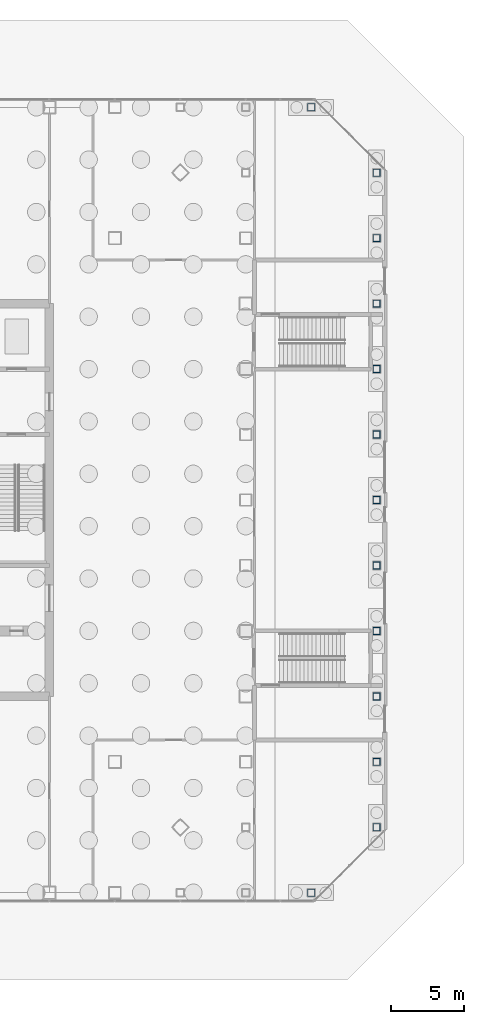
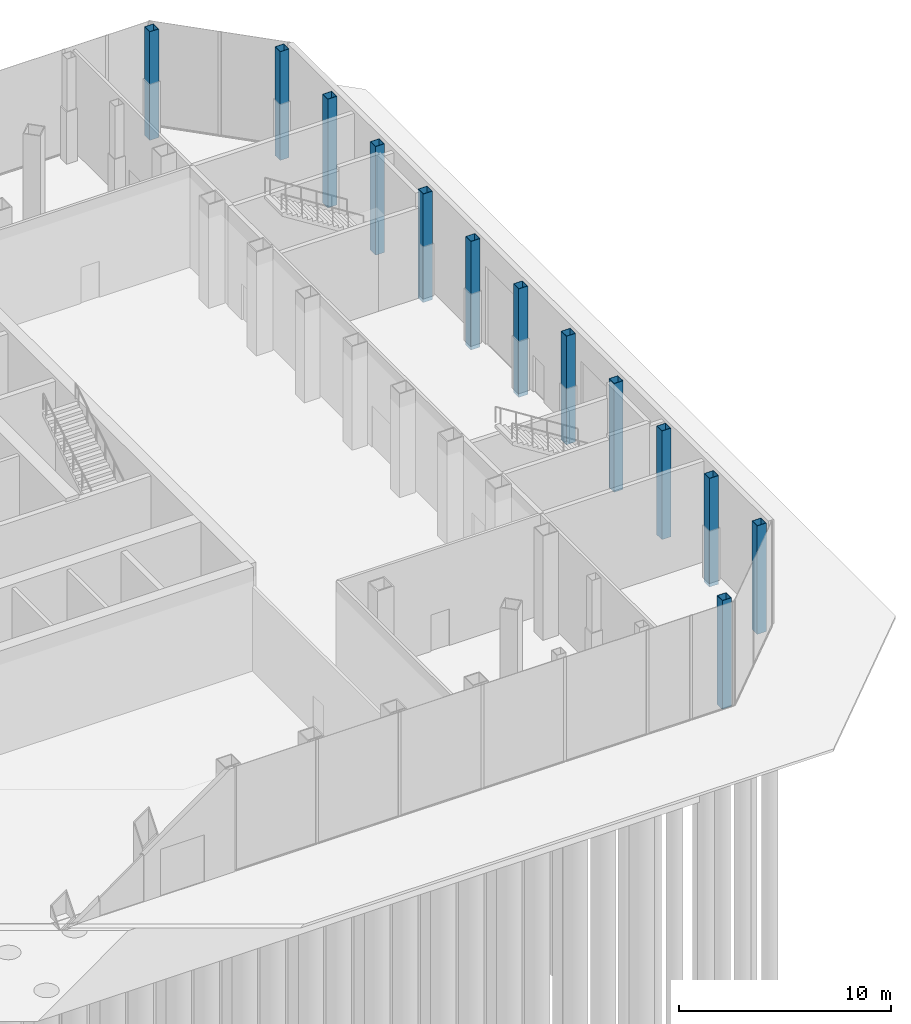
# One storey, part 5 of 24: 13 columns.
"""IFC4 building model written with IfcOpenShell, lengths in metres."""

from ifc_helpers import new_model, si_unit, direction, frame, origin, origin_2d, place, context, subcontext, project, spatial, hollow_rectangle, extrude, material, material_profile, profile_set, type_object, element, save


model = new_model("IFC4")

# Units and contexts
model_context = context("Model", 3, precision=1e-05, world=origin(), true_north=direction((0.0, 1.0)))
body_context = subcontext(model_context, "Body", "Model", "MODEL_VIEW")
ifc_project = project(units=[si_unit("LENGTHUNIT", "METRE"), si_unit("AREAUNIT", "SQUARE_METRE"), si_unit("VOLUMEUNIT", "CUBIC_METRE"), si_unit("PLANEANGLEUNIT", "RADIAN"), si_unit("MASSUNIT", "GRAM", prefix="KILO")], contexts=[model_context])

# Site, building, storey
site_placement = place(None, origin())
site = spatial("IfcSite", under=ifc_project, at=site_placement, CompositionType="ELEMENT")
building_placement = place(site_placement, origin())
building = spatial("IfcBuilding", under=site, at=building_placement, Name="Corais Broadcast Tower", CompositionType="ELEMENT")
storey_placement = place(building_placement, origin())
storey = spatial("IfcBuildingStorey", under=building, at=storey_placement, Name="L00", CompositionType="ELEMENT", Elevation=0.0)

# Columns
ifc_material = material(Name="Steel ASTM A572 Grade 50", Category="steel")
ifc_material_profile = material_profile(ifc_material, hollow_rectangle(XDim=0.5, YDim=0.5, WallThickness=0.02197265625, at=origin_2d()), Name="BOX 500x500x22")
ifc_profile_set = profile_set([ifc_material_profile], Name="Steel ASTM A572 Grade 50")
column_type = type_object("IfcColumnType", Name="Column BOX 500x500x22", PredefinedType="COLUMN", material=ifc_profile_set)
for number, where, z_axis, x_axis, name in (
    (1, (63.0, 4.5, -0.25), (0.0, 0.0, 1.0), (1.0, 0.0, 0.0), "C9 B/17"),
    (2, (63.0, 9.0, -0.25), (0.0, 0.0, 1.0), (1.0, 0.0, 0.0), "C9 C/17"),
    (3, (63.0, 13.5, -0.25), (0.0, 0.0, 1.0), (1.0, 0.0, 0.0), "C9 D/17"),
    (4, (63.0, 18.0, -0.25), (0.0, 0.0, 1.0), (1.0, 0.0, 0.0), "C9 E/17"),
    (5, (63.0, 22.5, -0.25), (0.0, 0.0, 1.0), (1.0, 0.0, 0.0), "C9 F/17"),
    (6, (63.0, 27.0, -0.25), (0.0, 0.0, 1.0), (1.0, 0.0, 0.0), "C9 G/17"),
    (7, (63.0, 31.5, -0.25), (0.0, 0.0, 1.0), (1.0, 0.0, 0.0), "C9 H/17"),
    (8, (63.0, 36.0, -0.25), (0.0, 0.0, 1.0), (1.0, 0.0, 0.0), "C9 J/17"),
    (9, (63.0, 40.5, -0.25), (0.0, 0.0, 1.0), (1.0, 0.0, 0.0), "C9 K/17"),
    (10, (63.0, 45.0, -0.25), (0.0, 0.0, 1.0), (1.0, 0.0, 0.0), "C9 L/17"),
    (11, (63.0, 49.5, -0.25), (0.0, 0.0, 1.0), (1.0, 0.0, 0.0), "C9 M/17"),
    (12, (58.5, 0.0, -0.25), (0.0, 0.0, 1.0), (1.0, 0.0, 0.0), "C9 A/16"),
    (13, (58.5, 54.0, -0.25), (0.0, 0.0, 1.0), (1.0, 0.0, 0.0), "C9 N/16"),
):
    element("IfcColumn", number, at=place(storey_placement, frame(where, z_axis=z_axis, x_axis=x_axis)), inside=storey, type_object=column_type, Name=name, PredefinedType="COLUMN", context=body_context, shape_type="SweptSolid", body=[
        extrude(hollow_rectangle(XDim=0.5, YDim=0.5, WallThickness=0.02197265625, at=origin_2d()), origin(), (0.0, 0.0, 1.0), 6.25),
    ])

save(model, "model.ifc")
